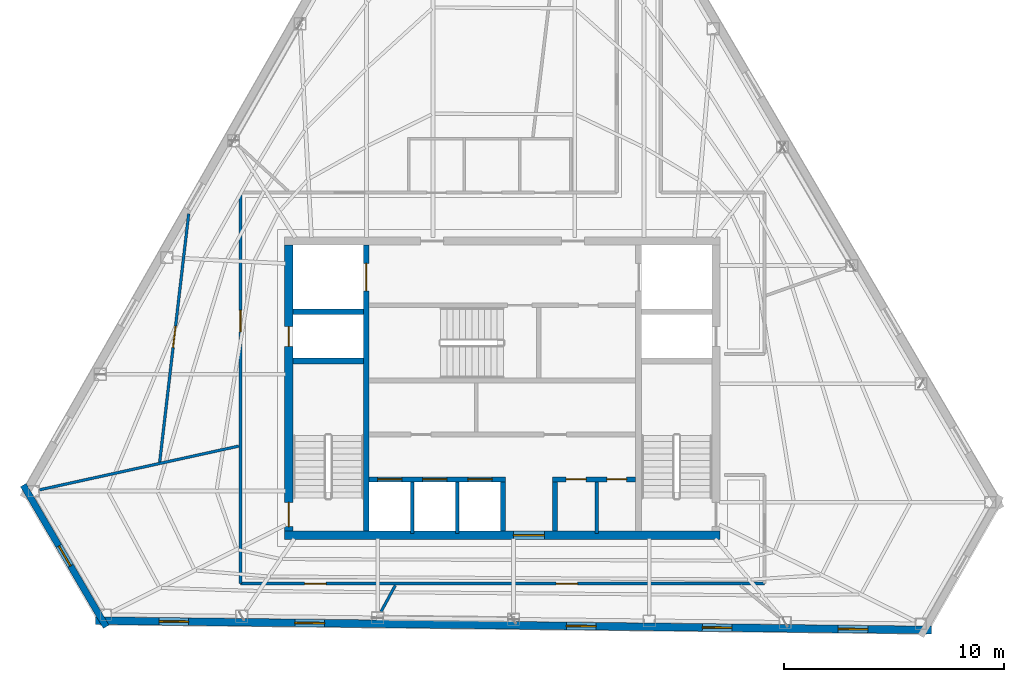
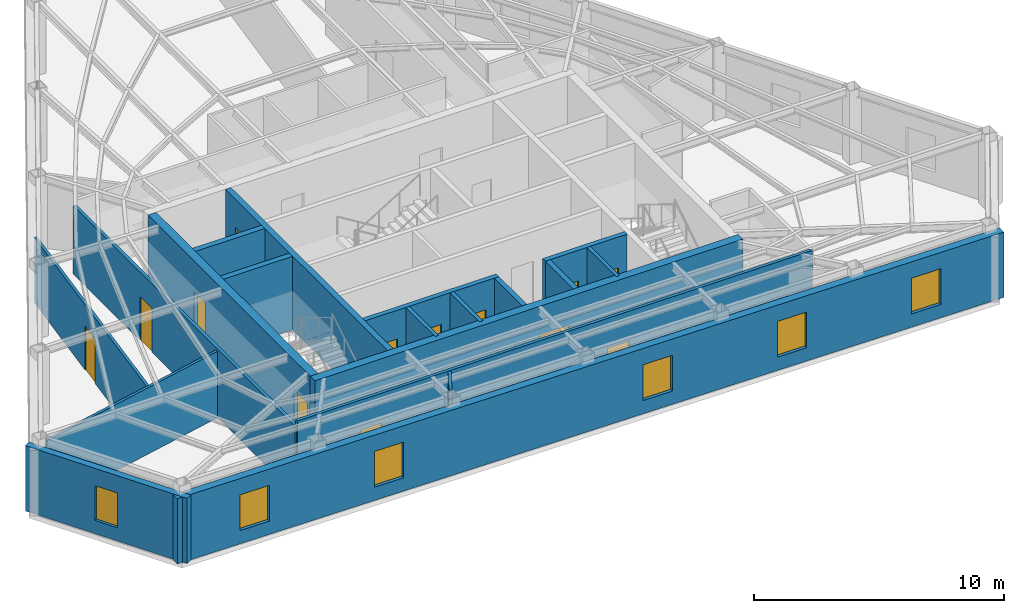
# One storey, part 7 of 10: 19 walls, 13 doors, 6 windows, 19 openings.
"""IFC4 building model written with IfcOpenShell, lengths in metres."""

from ifc_helpers import new_model, si_unit, direction, frame, frame_2d, origin, place, context, subcontext, project, spatial, rectangle, extrude, material, layer, layer_set, type_object, element, fill, save


model = new_model("IFC4")

# Units and contexts
model_context = context("Model", 3, precision=1e-05, world=origin(), true_north=direction((0.0, 1.0)))
body_context = subcontext(model_context, "Body", "Model", "MODEL_VIEW")
ifc_project = project(units=[si_unit("LENGTHUNIT", "METRE"), si_unit("AREAUNIT", "SQUARE_METRE"), si_unit("VOLUMEUNIT", "CUBIC_METRE"), si_unit("PLANEANGLEUNIT", "RADIAN"), si_unit("MASSUNIT", "GRAM", prefix="KILO")], contexts=[model_context])

# Site, building, storey
site_placement = place(None, origin())
site = spatial("IfcSite", under=ifc_project, at=site_placement, CompositionType="ELEMENT")
building_placement = place(site_placement, origin())
building = spatial("IfcBuilding", under=site, at=building_placement, Name="Kavelnor Concourse Tower", CompositionType="ELEMENT")
storey_placement = place(building_placement, frame((0.0, 0.0, 251.050048828125)))
storey = spatial("IfcBuildingStorey", under=building, at=storey_placement, Name="L63", CompositionType="ELEMENT", Elevation=251.050048828125)

# Wall, opening, door
ifc_material_1 = material(Name="Concrete C50/60", Category="concrete")
ifc_layer_1 = layer(ifc_material_1, 0.3798828125, Name="Concrete C50/60")
ifc_layer_set_1 = layer_set([ifc_layer_1], Name="Concrete C50/60")
wall_type_1 = type_object("IfcWallType", Name="WL-CORE-Z4-380", PredefinedType="SOLIDWALL", material=ifc_layer_set_1)
wall_1_placement = place(storey_placement, frame((28.10009765625, 9.409912109375, 0.0), z_axis=(0.0, 0.0, 1.0), x_axis=(1.0, 0.0, 0.0)))
wall_1 = element("IfcWall", 1, at=wall_1_placement, inside=storey, type_object=wall_type_1, Name="L63 Central Core South Shear Wall", PredefinedType="SOLIDWALL", context=body_context, shape_type="SweptSolid", body=[
    extrude(rectangle(XDim=19.7998046875, YDim=0.3798828125, at=frame_2d((9.89990234375, 0.0))), origin(), (0.0, 0.0, 1.0), 3.60986328125),
])
opening_1_placement = place(wall_1_placement, frame((10.39990234375, 0.0, 0.0)))
opening_1 = element("IfcOpeningElement", 2, at=opening_1_placement, cuts=wall_1, Name="Opening SD-140", PredefinedType="OPENING", context=body_context, shape_type="SweptSolid", body=[
    extrude(rectangle(XDim=1.39990234375, YDim=2.199951171875, at=frame_2d((0.699951171875, 1.10009765625))), frame((0.0, 0.199951171875, 0.0), z_axis=(0.0, -1.0, 0.0), x_axis=(1.0, 0.0, 0.0)), (0.0, 0.0, 1.0), 0.39990234375),
])
ifc_material_2 = material(Name="Solid-core hardwood timber", Category="wood")
door_type_1 = type_object("IfcDoorType", Name="DR-SUITE-ENTRY-1400", OperationType="NOTDEFINED", PredefinedType="DOOR", material=ifc_material_2)
door_1_placement = place(opening_1_placement, origin())
door_1 = element("IfcDoor", 3, at=door_1_placement, inside=storey, type_object=door_type_1, Name="L63 Passenger Lift Lobby Entry Door", OperationType="SINGLE_SWING_RIGHT", OverallHeight=2.199951171875, OverallWidth=1.39990234375, PredefinedType="DOOR", context=body_context, shape_type="SweptSolid", body=[
    extrude(rectangle(XDim=1.39990234375, YDim=2.199951171875, at=frame_2d((0.699951171875, 1.10009765625))), frame((0.0, 0.02490234375, 0.0), z_axis=(0.0, -1.0, 0.0), x_axis=(1.0, 0.0, 0.0)), (0.0, 0.0, 1.0), 0.050048828125),
])
fill(opening_1, door_1)

# Wall, openings, doors
wall_2_placement = place(storey_placement, frame((28.2900390625, 9.60009765625, 0.0), z_axis=(0.0, 0.0, 1.0), x_axis=(0.0, 1.0, 0.0)))
wall_2 = element("IfcWall", 4, at=wall_2_placement, inside=storey, type_object=wall_type_1, Name="L63 Central Core West Shear Wall", PredefinedType="SOLIDWALL", context=body_context, shape_type="SweptSolid", body=[
    extrude(rectangle(XDim=13.0, YDim=0.3798828125, at=frame_2d((6.5, 0.0))), origin(), (0.0, 0.0, 1.0), 3.60986328125),
])
opening_2_placement = place(wall_2_placement, frame((0.199951171875, 0.0, 0.0)))
opening_2 = element("IfcOpeningElement", 5, at=opening_2_placement, cuts=wall_2, Name="Opening FD-110", PredefinedType="OPENING", context=body_context, shape_type="SweptSolid", body=[
    extrude(rectangle(XDim=1.10009765625, YDim=2.14990234375, at=frame_2d((0.550048828125, 1.074951171875))), frame((0.0, 0.199951171875, 0.0), z_axis=(0.0, -1.0, 0.0), x_axis=(1.0, 0.0, 0.0)), (0.0, 0.0, 1.0), 0.39990234375),
])
opening_3_placement = place(wall_2_placement, frame((8.39990234375, 0.0, 0.0)))
opening_3 = element("IfcOpeningElement", 6, at=opening_3_placement, cuts=wall_2, Name="Opening FD-090", PredefinedType="OPENING", context=body_context, shape_type="SweptSolid", body=[
    extrude(rectangle(XDim=0.89990234375, YDim=2.10009765625, at=frame_2d((0.449951171875, 1.050048828125))), frame((0.0, 0.199951171875, 0.0), z_axis=(0.0, -1.0, 0.0), x_axis=(1.0, 0.0, 0.0)), (0.0, 0.0, 1.0), 0.39990234375),
])
ifc_material_3 = material(Name="Steel Grade 350", Category="steel")
door_type_2 = type_object("IfcDoorType", Name="DR-RISER-FIRE-900", OperationType="NOTDEFINED", PredefinedType="DOOR", material=ifc_material_3)
door_2_placement = place(opening_3_placement, origin())
door_2 = element("IfcDoor", 7, at=door_2_placement, inside=storey, type_object=door_type_2, Name="L63 West Riser Access Door", OperationType="SINGLE_SWING_RIGHT", OverallHeight=2.10009765625, OverallWidth=0.89990234375, PredefinedType="DOOR", context=body_context, shape_type="SweptSolid", body=[
    extrude(rectangle(XDim=0.89990234375, YDim=2.10009765625, at=frame_2d((0.449951171875, 1.050048828125))), frame((0.0, 0.02490234375, 0.0), z_axis=(0.0, -1.0, 0.0), x_axis=(1.0, 0.0, 0.0)), (0.0, 0.0, 1.0), 0.050048828125),
])
fill(opening_3, door_2)
door_type_3 = type_object("IfcDoorType", Name="DR-STAIR-FIRE-1100", OperationType="NOTDEFINED", PredefinedType="DOOR", material=ifc_material_3)
door_3_placement = place(opening_2_placement, origin())
door_3 = element("IfcDoor", 8, at=door_3_placement, inside=storey, type_object=door_type_3, Name="L63 Stair ST1 Fire Door", OperationType="SINGLE_SWING_LEFT", OverallHeight=2.14990234375, OverallWidth=1.10009765625, PredefinedType="DOOR", context=body_context, shape_type="SweptSolid", body=[
    extrude(rectangle(XDim=1.10009765625, YDim=2.14990234375, at=frame_2d((0.550048828125, 1.074951171875))), frame((0.0, 0.02490234375, 0.0), z_axis=(0.0, -1.0, 0.0), x_axis=(1.0, 0.0, 0.0)), (0.0, 0.0, 1.0), 0.050048828125),
])
fill(opening_2, door_3)

# Wall, opening, window
ifc_material_4 = material(Name="Buff ironspot clay face brick masonry", Category="masonry")
ifc_layer_2 = layer(ifc_material_4, 0.300048828125, Name="Buff ironspot clay face brick masonry")
ifc_layer_set_2 = layer_set([ifc_layer_2], Name="Buff ironspot clay face brick masonry")
wall_type_2 = type_object("IfcWallType", Name="WL-EXT-BUFF-BRICK-FOLD-300", PredefinedType="STANDARD", material=ifc_layer_set_2)
wall_3_placement = place(storey_placement, frame((19.97900390625, 5.248291015625, 0.0), z_axis=(0.0, 0.0, 1.0), x_axis=(-0.50480008765, 0.863236277915, 0.0)))
wall_3 = element("IfcWall", 9, at=wall_3_placement, inside=storey, type_object=wall_type_2, Name="L63 Exterior Brick Facade Wall E2", PredefinedType="STANDARD", context=body_context, shape_type="SweptSolid", body=[
    extrude(rectangle(XDim=7.46435546875, YDim=0.300048828125, at=frame_2d((3.732177734375, 0.0))), origin(), (0.0, 0.0, 1.0), 3.196044921875),
])
opening_4_placement = place(wall_3_placement, frame((3.20703125, 0.0, 0.64990234375)))
opening_4 = element("IfcOpeningElement", 10, at=opening_4_placement, cuts=wall_3, Name="Opening W-06", PredefinedType="OPENING", context=body_context, shape_type="SweptSolid", body=[
    extrude(rectangle(XDim=1.050048828125, YDim=1.699951171875, at=frame_2d((0.52490234375, 0.85009765625))), frame((0.0, 0.16015625, 0.0), z_axis=(0.0, -1.0, 0.0), x_axis=(1.0, 0.0, 0.0)), (0.0, 0.0, 1.0), 0.320068359375),
])
ifc_material_5 = material(Name="Double low-E argon insulated glazing", Category="glass")
window_type_1 = type_object("IfcWindowType", Name="WIN-FOLD-1050", PartitioningType="SINGLE_PANEL", PredefinedType="WINDOW", material=ifc_material_5)
window_1_placement = place(opening_4_placement, origin())
window_1 = element("IfcWindow", 11, at=window_1_placement, inside=storey, type_object=window_type_1, Name="L63 Chamfer-Fold Facet Window C1", OverallHeight=1.699951171875, OverallWidth=1.050048828125, PartitioningType="SINGLE_PANEL", PredefinedType="WINDOW", context=body_context, shape_type="SweptSolid", body=[
    extrude(rectangle(XDim=1.050048828125, YDim=1.699951171875, at=frame_2d((0.52490234375, 0.85009765625))), frame((0.0, 0.030029296875, 0.0), z_axis=(0.0, -1.0, 0.0), x_axis=(1.0, 0.0, 0.0)), (0.0, 0.0, 1.0), 0.06005859375),
])
fill(opening_4, window_1)

# Wall, openings, windows
ifc_material_6 = material(Name="Red-ochre clay face brick masonry", Category="masonry")
ifc_layer_3 = layer(ifc_material_6, 0.35009765625, Name="Red-ochre clay face brick masonry")
ifc_layer_set_3 = layer_set([ifc_layer_3], Name="Red-ochre clay face brick masonry")
wall_type_3 = type_object("IfcWallType", Name="WL-EXT-RED-BRICK-PIER-350", PredefinedType="STANDARD", material=ifc_layer_set_3)
wall_4_placement = place(storey_placement, frame((57.506103515625, 5.1015625, 0.0), z_axis=(0.0, 0.0, 1.0), x_axis=(-0.999937327785, 0.011195557226, 0.0)))
wall_4 = element("IfcWall", 12, at=wall_4_placement, inside=storey, type_object=wall_type_3, Name="L63 Exterior Brick Facade Wall E3", PredefinedType="STANDARD", context=body_context, shape_type="SweptSolid", body=[
    extrude(rectangle(XDim=38.009521484375, YDim=0.35009765625, at=frame_2d((19.0048828125, 0.0))), origin(), (0.0, 0.0, 1.0), 3.196044921875),
])
opening_5_placement = place(wall_4_placement, frame((33.774658203125, 0.0, 0.64990234375)))
opening_5 = element("IfcOpeningElement", 13, at=opening_5_placement, cuts=wall_4, Name="Opening W-04", PredefinedType="OPENING", context=body_context, shape_type="SweptSolid", body=[
    extrude(rectangle(XDim=1.35009765625, YDim=1.75, at=frame_2d((0.675048828125, 0.875))), frame((0.0, 0.18505859375, 0.0), z_axis=(0.0, -1.0, 0.0), x_axis=(1.0, 0.0, 0.0)), (0.0, 0.0, 1.0), 0.3701171875),
])
opening_6_placement = place(wall_4_placement, frame((27.598876953125, 0.0, 0.64990234375)))
opening_6 = element("IfcOpeningElement", 14, at=opening_6_placement, cuts=wall_4, Name="Opening W-04", PredefinedType="OPENING", context=body_context, shape_type="SweptSolid", body=[
    extrude(rectangle(XDim=1.35009765625, YDim=1.75, at=frame_2d((0.675048828125, 0.875))), frame((0.0, 0.18505859375, 0.0), z_axis=(0.0, -1.0, 0.0), x_axis=(1.0, 0.0, 0.0)), (0.0, 0.0, 1.0), 0.3701171875),
])
opening_7_placement = place(wall_4_placement, frame((15.247314453125, 0.0, 0.64990234375)))
opening_7 = element("IfcOpeningElement", 15, at=opening_7_placement, cuts=wall_4, Name="Opening W-04", PredefinedType="OPENING", context=body_context, shape_type="SweptSolid", body=[
    extrude(rectangle(XDim=1.35009765625, YDim=1.75, at=frame_2d((0.675048828125, 0.875))), frame((0.0, 0.18505859375, 0.0), z_axis=(0.0, -1.0, 0.0), x_axis=(1.0, 0.0, 0.0)), (0.0, 0.0, 1.0), 0.3701171875),
])
opening_8_placement = place(wall_4_placement, frame((9.0712890625, 0.0, 0.64990234375)))
opening_8 = element("IfcOpeningElement", 16, at=opening_8_placement, cuts=wall_4, Name="Opening W-04", PredefinedType="OPENING", context=body_context, shape_type="SweptSolid", body=[
    extrude(rectangle(XDim=1.35009765625, YDim=1.75, at=frame_2d((0.675048828125, 0.875))), frame((0.0, 0.18505859375, 0.0), z_axis=(0.0, -1.0, 0.0), x_axis=(1.0, 0.0, 0.0)), (0.0, 0.0, 1.0), 0.3701171875),
])
opening_9_placement = place(wall_4_placement, frame((2.8955078125, 0.0, 0.64990234375)))
opening_9 = element("IfcOpeningElement", 17, at=opening_9_placement, cuts=wall_4, Name="Opening W-04", PredefinedType="OPENING", context=body_context, shape_type="SweptSolid", body=[
    extrude(rectangle(XDim=1.35009765625, YDim=1.75, at=frame_2d((0.675048828125, 0.875))), frame((0.0, 0.18505859375, 0.0), z_axis=(0.0, -1.0, 0.0), x_axis=(1.0, 0.0, 0.0)), (0.0, 0.0, 1.0), 0.3701171875),
])
window_type_2 = type_object("IfcWindowType", Name="WIN-PIER-Z4-1350", PartitioningType="SINGLE_PANEL", PredefinedType="WINDOW", material=ifc_material_5)
window_2_placement = place(opening_5_placement, origin())
window_2 = element("IfcWindow", 18, at=window_2_placement, inside=storey, type_object=window_type_2, Name="L63 Deep-Set Brick Pier Window F1-B0", OverallHeight=1.75, OverallWidth=1.35009765625, PartitioningType="SINGLE_PANEL", PredefinedType="WINDOW", context=body_context, shape_type="SweptSolid", body=[
    extrude(rectangle(XDim=1.35009765625, YDim=1.75, at=frame_2d((0.675048828125, 0.875))), frame((0.0, 0.030029296875, 0.0), z_axis=(0.0, -1.0, 0.0), x_axis=(1.0, 0.0, 0.0)), (0.0, 0.0, 1.0), 0.06005859375),
])
fill(opening_5, window_2)
window_3_placement = place(opening_6_placement, origin())
window_3 = element("IfcWindow", 19, at=window_3_placement, inside=storey, type_object=window_type_2, Name="L63 Deep-Set Brick Pier Window F1-B1", OverallHeight=1.75, OverallWidth=1.35009765625, PartitioningType="SINGLE_PANEL", PredefinedType="WINDOW", context=body_context, shape_type="SweptSolid", body=[
    extrude(rectangle(XDim=1.35009765625, YDim=1.75, at=frame_2d((0.675048828125, 0.875))), frame((0.0, 0.030029296875, 0.0), z_axis=(0.0, -1.0, 0.0), x_axis=(1.0, 0.0, 0.0)), (0.0, 0.0, 1.0), 0.06005859375),
])
fill(opening_6, window_3)
window_4_placement = place(opening_7_placement, origin())
window_4 = element("IfcWindow", 20, at=window_4_placement, inside=storey, type_object=window_type_2, Name="L63 Deep-Set Brick Pier Window F1-B3", OverallHeight=1.75, OverallWidth=1.35009765625, PartitioningType="SINGLE_PANEL", PredefinedType="WINDOW", context=body_context, shape_type="SweptSolid", body=[
    extrude(rectangle(XDim=1.35009765625, YDim=1.75, at=frame_2d((0.675048828125, 0.875))), frame((0.0, 0.030029296875, 0.0), z_axis=(0.0, -1.0, 0.0), x_axis=(1.0, 0.0, 0.0)), (0.0, 0.0, 1.0), 0.06005859375),
])
fill(opening_7, window_4)
window_5_placement = place(opening_8_placement, origin())
window_5 = element("IfcWindow", 21, at=window_5_placement, inside=storey, type_object=window_type_2, Name="L63 Deep-Set Brick Pier Window F1-B4", OverallHeight=1.75, OverallWidth=1.35009765625, PartitioningType="SINGLE_PANEL", PredefinedType="WINDOW", context=body_context, shape_type="SweptSolid", body=[
    extrude(rectangle(XDim=1.35009765625, YDim=1.75, at=frame_2d((0.675048828125, 0.875))), frame((0.0, 0.030029296875, 0.0), z_axis=(0.0, -1.0, 0.0), x_axis=(1.0, 0.0, 0.0)), (0.0, 0.0, 1.0), 0.06005859375),
])
fill(opening_8, window_5)
window_6_placement = place(opening_9_placement, origin())
window_6 = element("IfcWindow", 22, at=window_6_placement, inside=storey, type_object=window_type_2, Name="L63 Deep-Set Brick Pier Window F1-B5", OverallHeight=1.75, OverallWidth=1.35009765625, PartitioningType="SINGLE_PANEL", PredefinedType="WINDOW", context=body_context, shape_type="SweptSolid", body=[
    extrude(rectangle(XDim=1.35009765625, YDim=1.75, at=frame_2d((0.675048828125, 0.875))), frame((0.0, 0.030029296875, 0.0), z_axis=(0.0, -1.0, 0.0), x_axis=(1.0, 0.0, 0.0)), (0.0, 0.0, 1.0), 0.06005859375),
])
fill(opening_9, window_6)

# Wall, openings, doors
ifc_material_7 = material(Name="Gypsum plasterboard on light-gauge steel studs", Category="steel")
ifc_layer_4 = layer(ifc_material_7, 0.14501953125, Name="Gypsum plasterboard on light-gauge steel studs")
ifc_layer_set_4 = layer_set([ifc_layer_4], Name="Gypsum plasterboard on light-gauge steel studs")
wall_type_4 = type_object("IfcWallType", Name="WL-INT-CORR-145", PredefinedType="PARTITIONING", material=ifc_layer_set_4)
wall_5_placement = place(storey_placement, frame((49.909912109375, 7.2099609375, 0.0), z_axis=(0.0, 0.0, 1.0), x_axis=(-1.0, 0.0, 0.0)))
wall_5 = element("IfcWall", 23, at=wall_5_placement, inside=storey, type_object=wall_type_4, Name="L63 Corridor Wall WL-L63-CR-09", PredefinedType="PARTITIONING", context=body_context, shape_type="SweptSolid", body=[
    extrude(rectangle(XDim=23.81982421875, YDim=0.14501953125, at=frame_2d((11.909912109375, 0.0))), origin(), (0.0, 0.0, 1.0), 3.60986328125),
])
opening_10_placement = place(wall_5_placement, frame((19.927734375, 0.0, 0.0)))
opening_10 = element("IfcOpeningElement", 24, at=opening_10_placement, cuts=wall_5, Name="Opening OD-098", PredefinedType="OPENING", context=body_context, shape_type="SweptSolid", body=[
    extrude(rectangle(XDim=0.97998046875, YDim=2.14990234375, at=frame_2d((0.489990234375, 1.074951171875))), frame((0.0, 0.08251953125, 0.0), z_axis=(0.0, -1.0, 0.0), x_axis=(1.0, 0.0, 0.0)), (0.0, 0.0, 1.0), 0.1650390625),
])
opening_11_placement = place(wall_5_placement, frame((8.487060546875, 0.0, 0.0)))
opening_11 = element("IfcOpeningElement", 25, at=opening_11_placement, cuts=wall_5, Name="Opening OD-098", PredefinedType="OPENING", context=body_context, shape_type="SweptSolid", body=[
    extrude(rectangle(XDim=0.97998046875, YDim=2.14990234375, at=frame_2d((0.489990234375, 1.074951171875))), frame((0.0, 0.08251953125, 0.0), z_axis=(0.0, -1.0, 0.0), x_axis=(1.0, 0.0, 0.0)), (0.0, 0.0, 1.0), 0.1650390625),
])
door_type_4 = type_object("IfcDoorType", Name="DR-OFFICE-980", OperationType="NOTDEFINED", PredefinedType="DOOR", material=ifc_material_2)
door_4_placement = place(opening_10_placement, origin())
door_4 = element("IfcDoor", 26, at=door_4_placement, inside=storey, type_object=door_type_4, Name="L63 Staff Breakout Pantry 05 Door", OperationType="SINGLE_SWING_LEFT", OverallHeight=2.14990234375, OverallWidth=0.97998046875, PredefinedType="DOOR", context=body_context, shape_type="SweptSolid", body=[
    extrude(rectangle(XDim=0.97998046875, YDim=2.14990234375, at=frame_2d((0.489990234375, 1.074951171875))), frame((0.0, 0.02490234375, 0.0), z_axis=(0.0, -1.0, 0.0), x_axis=(1.0, 0.0, 0.0)), (0.0, 0.0, 1.0), 0.050048828125),
])
fill(opening_10, door_4)
door_5_placement = place(opening_11_placement, origin())
door_5 = element("IfcDoor", 27, at=door_5_placement, inside=storey, type_object=door_type_4, Name="L63 Staff Breakout Pantry 06 Door", OperationType="SINGLE_SWING_RIGHT", OverallHeight=2.14990234375, OverallWidth=0.97998046875, PredefinedType="DOOR", context=body_context, shape_type="SweptSolid", body=[
    extrude(rectangle(XDim=0.97998046875, YDim=2.14990234375, at=frame_2d((0.489990234375, 1.074951171875))), frame((0.0, 0.02490234375, 0.0), z_axis=(0.0, -1.0, 0.0), x_axis=(1.0, 0.0, 0.0)), (0.0, 0.0, 1.0), 0.050048828125),
])
fill(opening_11, door_5)

# Wall, opening, door
wall_6_placement = place(storey_placement, frame((26.090087890625, 7.2099609375, 0.0), z_axis=(0.0, 0.0, 1.0), x_axis=(0.0, 1.0, 0.0)))
wall_6 = element("IfcWall", 28, at=wall_6_placement, inside=storey, type_object=wall_type_4, Name="L63 Corridor Wall WL-L63-CR-10", PredefinedType="PARTITIONING", context=body_context, shape_type="SweptSolid", body=[
    extrude(rectangle(XDim=17.780029296875, YDim=0.14501953125, at=frame_2d((8.89013671875, 0.0))), origin(), (0.0, 0.0, 1.0), 3.348876953125),
])
opening_12_placement = place(wall_6_placement, frame((11.442626953125, 0.0, 0.0)))
opening_12 = element("IfcOpeningElement", 29, at=opening_12_placement, cuts=wall_6, Name="Opening OD-098", PredefinedType="OPENING", context=body_context, shape_type="SweptSolid", body=[
    extrude(rectangle(XDim=0.97998046875, YDim=2.14990234375, at=frame_2d((0.489990234375, 1.074951171875))), frame((0.0, 0.08251953125, 0.0), z_axis=(0.0, -1.0, 0.0), x_axis=(1.0, 0.0, 0.0)), (0.0, 0.0, 1.0), 0.1650390625),
])
door_6_placement = place(opening_12_placement, origin())
door_6 = element("IfcDoor", 30, at=door_6_placement, inside=storey, type_object=door_type_4, Name="L63 Technical Reference Library 03 Door", OperationType="SINGLE_SWING_LEFT", OverallHeight=2.14990234375, OverallWidth=0.97998046875, PredefinedType="DOOR", context=body_context, shape_type="SweptSolid", body=[
    extrude(rectangle(XDim=0.97998046875, YDim=2.14990234375, at=frame_2d((0.489990234375, 1.074951171875))), frame((0.0, 0.02490234375, 0.0), z_axis=(0.0, -1.0, 0.0), x_axis=(1.0, 0.0, 0.0)), (0.0, 0.0, 1.0), 0.050048828125),
])
fill(opening_12, door_6)

# Walls
ifc_layer_5 = layer(ifc_material_7, 0.1650390625, Name="Gypsum plasterboard on light-gauge steel studs")
ifc_layer_set_5 = layer_set([ifc_layer_5], Name="Gypsum plasterboard on light-gauge steel studs")
wall_type_5 = type_object("IfcWallType", Name="WL-INT-FIRE-165", PredefinedType="PARTITIONING", material=ifc_layer_set_5)
for number, where, z_axis, x_axis, name in (
    (31, (33.89990234375, 9.489990234375, 0.0), (0.0, 0.0, 1.0), (0.0, 1.0, 0.0), "L63 Lift Shaft Divider LP7"),
    (32, (35.949951171875, 9.489990234375, 0.0), (0.0, 0.0, 1.0), (0.0, 1.0, 0.0), "L63 Lift Shaft Divider LP8"),
    (33, (42.280029296875, 9.489990234375, 0.0), (0.0, 0.0, 1.0), (0.0, 1.0, 0.0), "L63 Core Support Divider"),
):
    element("IfcWall", number, at=place(storey_placement, frame(where, z_axis=z_axis, x_axis=x_axis)), inside=storey, type_object=wall_type_5, Name=name, PredefinedType="PARTITIONING", context=body_context, shape_type="SweptSolid", body=[
        extrude(rectangle(XDim=2.35009765625, YDim=0.1650390625, at=frame_2d((1.175048828125, 0.0))), origin(), (0.0, 0.0, 1.0), 3.60986328125),
    ])
ifc_layer_6 = layer(ifc_material_7, 0.125, Name="Gypsum plasterboard on light-gauge steel studs")
ifc_layer_set_6 = layer_set([ifc_layer_6], Name="Gypsum plasterboard on light-gauge steel studs")
wall_type_6 = type_object("IfcWallType", Name="WL-INT-SUITE-125", PredefinedType="PARTITIONING", material=ifc_layer_set_6)
wall_7_placement = place(storey_placement, frame((26.009521484375, 13.465087890625, 0.0), z_axis=(0.0, 0.0, 1.0), x_axis=(-0.976700346334, -0.214607626778, 0.0)))
element("IfcWall", 34, at=wall_7_placement, inside=storey, type_object=wall_type_6, Name="L63 Radial Suite Partition 04", PredefinedType="PARTITIONING", context=body_context, shape_type="SweptSolid", body=[
    extrude(rectangle(XDim=9.272705078125, YDim=0.125, at=frame_2d((4.63623046875, 0.0))), origin(), (0.0, 0.0, 1.0), 3.245849609375),
])
wall_8_placement = place(storey_placement, frame((33.126708984375, 7.12939453125, 0.0), z_axis=(0.0, 0.0, 1.0), x_axis=(-0.47743452788, -0.878667327029, 0.0)))
element("IfcWall", 35, at=wall_8_placement, inside=storey, type_object=wall_type_6, Name="L63 Radial Suite Partition 05", PredefinedType="PARTITIONING", context=body_context, shape_type="SweptSolid", body=[
    extrude(rectangle(XDim=1.35205078125, YDim=0.125, at=frame_2d((0.676025390625, 0.0))), origin(), (0.0, 0.0, 1.0), 3.60986328125),
])

# Wall, opening, door
wall_9_placement = place(storey_placement, frame((23.73291015625, 24.027099609375, 0.0), z_axis=(0.0, 0.0, 1.0), x_axis=(-0.116028401935, -0.993245896012, 0.0)))
wall_9 = element("IfcWall", 36, at=wall_9_placement, inside=storey, type_object=wall_type_6, Name="L63 Suite Subdivision Partition 03", PredefinedType="PARTITIONING", context=body_context, shape_type="SweptSolid", body=[
    extrude(rectangle(XDim=11.4150390625, YDim=0.125, at=frame_2d((5.70751953125, 0.0))), origin(), (0.0, 0.0, 1.0), 3.198974609375),
])
opening_13_placement = place(wall_9_placement, frame((5.1416015625, 0.0, 0.0)))
opening_13 = element("IfcOpeningElement", 37, at=opening_13_placement, cuts=wall_9, Name="Opening OD-098", PredefinedType="OPENING", context=body_context, shape_type="SweptSolid", body=[
    extrude(rectangle(XDim=0.97998046875, YDim=2.14990234375, at=frame_2d((0.489990234375, 1.074951171875))), frame((0.0, 0.072509765625, 0.0), z_axis=(0.0, -1.0, 0.0), x_axis=(1.0, 0.0, 0.0)), (0.0, 0.0, 1.0), 0.14501953125),
])
door_7_placement = place(opening_13_placement, origin())
door_7 = element("IfcDoor", 38, at=door_7_placement, inside=storey, type_object=door_type_4, Name="L63 Staff Breakout Pantry 04 Door", OperationType="SINGLE_SWING_RIGHT", OverallHeight=2.14990234375, OverallWidth=0.97998046875, PredefinedType="DOOR", context=body_context, shape_type="SweptSolid", body=[
    extrude(rectangle(XDim=0.97998046875, YDim=2.14990234375, at=frame_2d((0.489990234375, 1.074951171875))), frame((0.0, 0.02490234375, 0.0), z_axis=(0.0, -1.0, 0.0), x_axis=(1.0, 0.0, 0.0)), (0.0, 0.0, 1.0), 0.050048828125),
])
fill(opening_13, door_7)

# Wall, openings, doors
ifc_layer_7 = layer(ifc_material_1, 0.219970703125, Name="Concrete C50/60")
ifc_layer_set_7 = layer_set([ifc_layer_7], Name="Concrete C50/60")
wall_type_7 = type_object("IfcWallType", Name="WL-SHAFT-220", PredefinedType="SOLIDWALL", material=ifc_layer_set_7)
wall_10_placement = place(storey_placement, frame((31.93994140625, 11.949951171875, 0.0), z_axis=(0.0, 0.0, 1.0), x_axis=(1.0, 0.0, 0.0)))
wall_10 = element("IfcWall", 39, at=wall_10_placement, inside=storey, type_object=wall_type_7, Name="L63 High-Rise Lift Bank North Wall", PredefinedType="SOLIDWALL", context=body_context, shape_type="SweptSolid", body=[
    extrude(rectangle(XDim=6.18994140625, YDim=0.219970703125, at=frame_2d((3.094970703125, 0.0))), origin(), (0.0, 0.0, 1.0), 3.60986328125),
])
opening_14_placement = place(wall_10_placement, frame((0.385009765625, 0.0, 0.0)))
opening_14 = element("IfcOpeningElement", 40, at=opening_14_placement, cuts=wall_10, Name="Opening LD-110", PredefinedType="OPENING", context=body_context, shape_type="SweptSolid", body=[
    extrude(rectangle(XDim=1.10009765625, YDim=2.199951171875, at=frame_2d((0.550048828125, 1.10009765625))), frame((0.0, 0.1201171875, 0.0), z_axis=(0.0, -1.0, 0.0), x_axis=(1.0, 0.0, 0.0)), (0.0, 0.0, 1.0), 0.239990234375),
])
opening_15_placement = place(wall_10_placement, frame((2.43505859375, 0.0, 0.0)))
opening_15 = element("IfcOpeningElement", 41, at=opening_15_placement, cuts=wall_10, Name="Opening LD-110", PredefinedType="OPENING", context=body_context, shape_type="SweptSolid", body=[
    extrude(rectangle(XDim=1.10009765625, YDim=2.199951171875, at=frame_2d((0.550048828125, 1.10009765625))), frame((0.0, 0.1201171875, 0.0), z_axis=(0.0, -1.0, 0.0), x_axis=(1.0, 0.0, 0.0)), (0.0, 0.0, 1.0), 0.239990234375),
])
opening_16_placement = place(wall_10_placement, frame((4.485107421875, 0.0, 0.0)))
opening_16 = element("IfcOpeningElement", 42, at=opening_16_placement, cuts=wall_10, Name="Opening LD-110", PredefinedType="OPENING", context=body_context, shape_type="SweptSolid", body=[
    extrude(rectangle(XDim=1.10009765625, YDim=2.199951171875, at=frame_2d((0.550048828125, 1.10009765625))), frame((0.0, 0.1201171875, 0.0), z_axis=(0.0, -1.0, 0.0), x_axis=(1.0, 0.0, 0.0)), (0.0, 0.0, 1.0), 0.239990234375),
])
door_type_5 = type_object("IfcDoorType", Name="DR-LIFT-SLIDING-1100", OperationType="NOTDEFINED", PredefinedType="DOOR", material=ifc_material_3)
door_8_placement = place(opening_14_placement, origin())
door_8 = element("IfcDoor", 43, at=door_8_placement, inside=storey, type_object=door_type_5, Name="L63 Lift LP7 Landing Door", OperationType="DOUBLE_DOOR_SLIDING", OverallHeight=2.199951171875, OverallWidth=1.10009765625, PredefinedType="DOOR", context=body_context, shape_type="SweptSolid", body=[
    extrude(rectangle(XDim=1.10009765625, YDim=2.199951171875, at=frame_2d((0.550048828125, 1.10009765625))), frame((0.0, 0.02490234375, 0.0), z_axis=(0.0, -1.0, 0.0), x_axis=(1.0, 0.0, 0.0)), (0.0, 0.0, 1.0), 0.050048828125),
])
fill(opening_14, door_8)
door_9_placement = place(opening_15_placement, origin())
door_9 = element("IfcDoor", 44, at=door_9_placement, inside=storey, type_object=door_type_5, Name="L63 Lift LP8 Landing Door", OperationType="DOUBLE_DOOR_SLIDING", OverallHeight=2.199951171875, OverallWidth=1.10009765625, PredefinedType="DOOR", context=body_context, shape_type="SweptSolid", body=[
    extrude(rectangle(XDim=1.10009765625, YDim=2.199951171875, at=frame_2d((0.550048828125, 1.10009765625))), frame((0.0, 0.02490234375, 0.0), z_axis=(0.0, -1.0, 0.0), x_axis=(1.0, 0.0, 0.0)), (0.0, 0.0, 1.0), 0.050048828125),
])
fill(opening_15, door_9)
door_10_placement = place(opening_16_placement, origin())
door_10 = element("IfcDoor", 45, at=door_10_placement, inside=storey, type_object=door_type_5, Name="L63 Lift LP9 Landing Door", OperationType="DOUBLE_DOOR_SLIDING", OverallHeight=2.199951171875, OverallWidth=1.10009765625, PredefinedType="DOOR", context=body_context, shape_type="SweptSolid", body=[
    extrude(rectangle(XDim=1.10009765625, YDim=2.199951171875, at=frame_2d((0.550048828125, 1.10009765625))), frame((0.0, 0.02490234375, 0.0), z_axis=(0.0, -1.0, 0.0), x_axis=(1.0, 0.0, 0.0)), (0.0, 0.0, 1.0), 0.050048828125),
])
fill(opening_16, door_10)

wall_11_placement = place(storey_placement, frame((40.280029296875, 11.949951171875, 0.0), z_axis=(0.0, 0.0, 1.0), x_axis=(1.0, 0.0, 0.0)))
wall_11 = element("IfcWall", 46, at=wall_11_placement, inside=storey, type_object=wall_type_7, Name="L63 Core South Support North Wall", PredefinedType="SOLIDWALL", context=body_context, shape_type="SweptSolid", body=[
    extrude(rectangle(XDim=3.780029296875, YDim=0.219970703125, at=frame_2d((1.89013671875, 0.0))), origin(), (0.0, 0.0, 1.0), 3.60986328125),
])
opening_17_placement = place(wall_11_placement, frame((0.6201171875, 0.0, 0.0)))
opening_17 = element("IfcOpeningElement", 47, at=opening_17_placement, cuts=wall_11, Name="Opening FD-090", PredefinedType="OPENING", context=body_context, shape_type="SweptSolid", body=[
    extrude(rectangle(XDim=0.89990234375, YDim=2.10009765625, at=frame_2d((0.449951171875, 1.050048828125))), frame((0.0, 0.1201171875, 0.0), z_axis=(0.0, -1.0, 0.0), x_axis=(1.0, 0.0, 0.0)), (0.0, 0.0, 1.0), 0.239990234375),
])
opening_18_placement = place(wall_11_placement, frame((2.469970703125, 0.0, 0.0)))
opening_18 = element("IfcOpeningElement", 48, at=opening_18_placement, cuts=wall_11, Name="Opening FD-090", PredefinedType="OPENING", context=body_context, shape_type="SweptSolid", body=[
    extrude(rectangle(XDim=0.89990234375, YDim=2.10009765625, at=frame_2d((0.449951171875, 1.050048828125))), frame((0.0, 0.1201171875, 0.0), z_axis=(0.0, -1.0, 0.0), x_axis=(1.0, 0.0, 0.0)), (0.0, 0.0, 1.0), 0.239990234375),
])
door_11_placement = place(opening_17_placement, origin())
door_11 = element("IfcDoor", 49, at=door_11_placement, inside=storey, type_object=door_type_2, Name="L63 Cleaner Cupboard Door", OperationType="SINGLE_SWING_RIGHT", OverallHeight=2.10009765625, OverallWidth=0.89990234375, PredefinedType="DOOR", context=body_context, shape_type="SweptSolid", body=[
    extrude(rectangle(XDim=0.89990234375, YDim=2.10009765625, at=frame_2d((0.449951171875, 1.050048828125))), frame((0.0, 0.02490234375, 0.0), z_axis=(0.0, -1.0, 0.0), x_axis=(1.0, 0.0, 0.0)), (0.0, 0.0, 1.0), 0.050048828125),
])
fill(opening_17, door_11)
door_12_placement = place(opening_18_placement, origin())
door_12 = element("IfcDoor", 50, at=door_12_placement, inside=storey, type_object=door_type_2, Name="L63 Supplies Store Door", OperationType="SINGLE_SWING_LEFT", OverallHeight=2.10009765625, OverallWidth=0.89990234375, PredefinedType="DOOR", context=body_context, shape_type="SweptSolid", body=[
    extrude(rectangle(XDim=0.89990234375, YDim=2.10009765625, at=frame_2d((0.449951171875, 1.050048828125))), frame((0.0, 0.02490234375, 0.0), z_axis=(0.0, -1.0, 0.0), x_axis=(1.0, 0.0, 0.0)), (0.0, 0.0, 1.0), 0.050048828125),
])
fill(opening_18, door_12)

# Walls
for number, where, z_axis, x_axis, name in (
    (51, (38.02001953125, 9.60009765625, 0.0), (0.0, 0.0, 1.0), (0.0, 1.0, 0.0), "L63 Lift Lobby Throat West Wall"),
    (52, (40.389892578125, 9.60009765625, 0.0), (0.0, 0.0, 1.0), (0.0, 1.0, 0.0), "L63 Lift Lobby Throat East Wall"),
):
    element("IfcWall", number, at=place(storey_placement, frame(where, z_axis=z_axis, x_axis=x_axis)), inside=storey, type_object=wall_type_7, Name=name, PredefinedType="SOLIDWALL", context=body_context, shape_type="SweptSolid", body=[
        extrude(rectangle(XDim=2.239990234375, YDim=0.219970703125, at=frame_2d((1.1201171875, 0.0))), origin(), (0.0, 0.0, 1.0), 3.60986328125),
    ])

# Wall, opening, door
ifc_layer_8 = layer(ifc_material_1, 0.260009765625, Name="Concrete C50/60")
ifc_layer_set_8 = layer_set([ifc_layer_8], Name="Concrete C50/60")
wall_type_8 = type_object("IfcWallType", Name="WL-SHAFT-260", PredefinedType="SHEAR", material=ifc_layer_set_8)
wall_12_placement = place(storey_placement, frame((31.81005859375, 9.60009765625, 0.0), z_axis=(0.0, 0.0, 1.0), x_axis=(0.0, 1.0, 0.0)))
wall_12 = element("IfcWall", 53, at=wall_12_placement, inside=storey, type_object=wall_type_8, Name="L63 Core West Wing Shear Wall", PredefinedType="SHEAR", context=body_context, shape_type="SweptSolid", body=[
    extrude(rectangle(XDim=13.0, YDim=0.260009765625, at=frame_2d((6.5, 0.0))), origin(), (0.0, 0.0, 1.0), 3.60986328125),
])
opening_19_placement = place(wall_12_placement, frame((10.925048828125, 0.0, 0.0)))
opening_19 = element("IfcOpeningElement", 54, at=opening_19_placement, cuts=wall_12, Name="Opening LD-125", PredefinedType="OPENING", context=body_context, shape_type="SweptSolid", body=[
    extrude(rectangle(XDim=1.25, YDim=2.25, at=frame_2d((0.625, 1.125))), frame((0.0, 0.14013671875, 0.0), z_axis=(0.0, -1.0, 0.0), x_axis=(1.0, 0.0, 0.0)), (0.0, 0.0, 1.0), 0.280029296875),
])
door_type_6 = type_object("IfcDoorType", Name="DR-LIFT-SLIDING-1250", OperationType="NOTDEFINED", PredefinedType="DOOR", material=ifc_material_3)
door_13_placement = place(opening_19_placement, origin())
door_13 = element("IfcDoor", 55, at=door_13_placement, inside=storey, type_object=door_type_6, Name="L63 Emergency Lift FL1 Landing Door", OperationType="DOUBLE_DOOR_SLIDING", OverallHeight=2.25, OverallWidth=1.25, PredefinedType="DOOR", context=body_context, shape_type="SweptSolid", body=[
    extrude(rectangle(XDim=1.25, YDim=2.25, at=frame_2d((0.625, 1.125))), frame((0.0, 0.02490234375, 0.0), z_axis=(0.0, -1.0, 0.0), x_axis=(1.0, 0.0, 0.0)), (0.0, 0.0, 1.0), 0.050048828125),
])
fill(opening_19, door_13)

# Walls
for number, where, z_axis, x_axis, name in (
    (56, (28.47998046875, 17.330078125, 0.0), (0.0, 0.0, 1.0), (1.0, 0.0, 0.0), "L63 Stair ST1 North Shaft Wall"),
    (57, (28.47998046875, 19.570068359375, 0.0), (0.0, 0.0, 1.0), (1.0, 0.0, 0.0), "L63 Emergency Lift FL1 South Shaft Wall"),
):
    element("IfcWall", number, at=place(storey_placement, frame(where, z_axis=z_axis, x_axis=x_axis)), inside=storey, type_object=wall_type_8, Name=name, PredefinedType="SHEAR", context=body_context, shape_type="SweptSolid", body=[
        extrude(rectangle(XDim=3.199951171875, YDim=0.260009765625, at=frame_2d((1.60009765625, 0.0))), origin(), (0.0, 0.0, 1.0), 3.60986328125),
    ])

save(model, "model.ifc")
